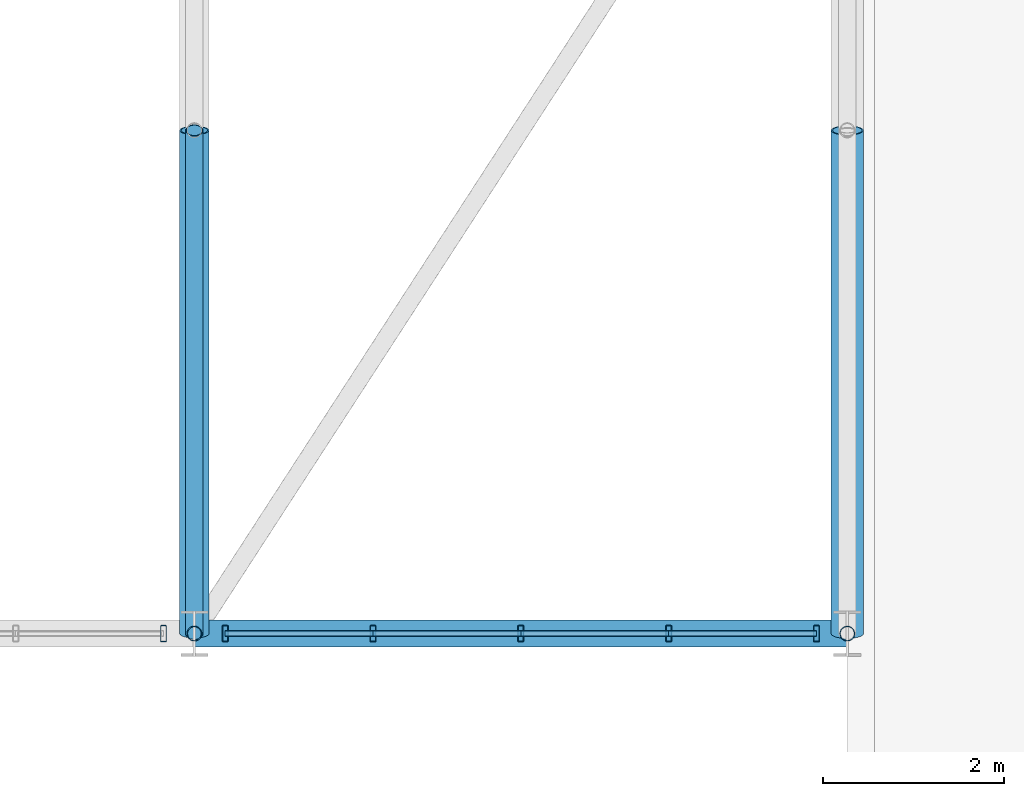
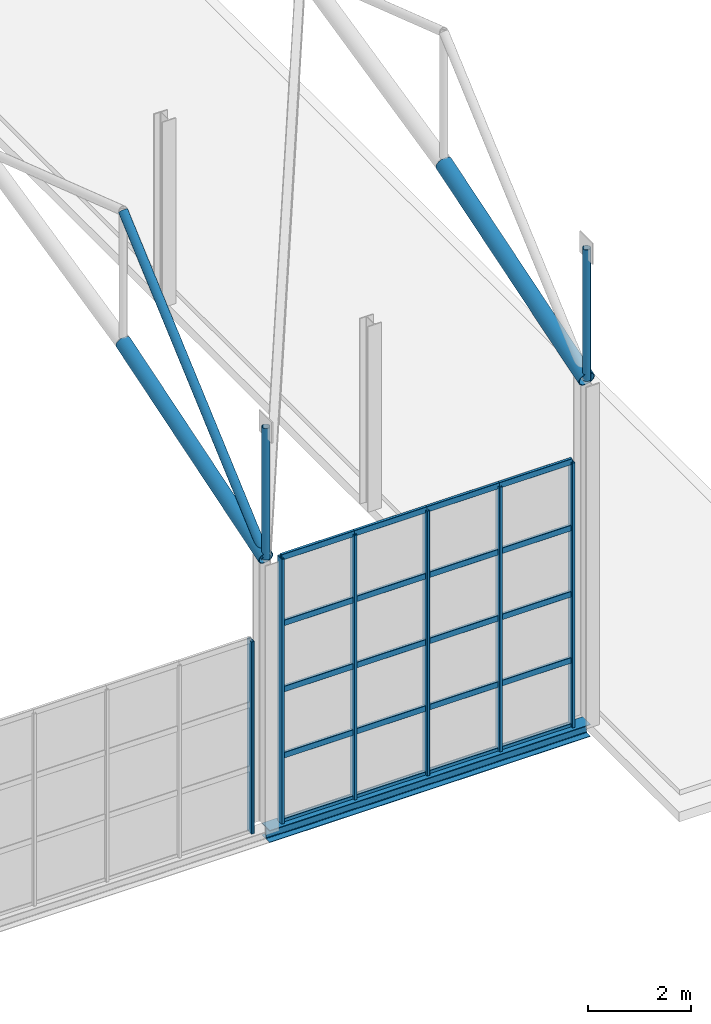
# One storey, part 60 of 153: 31 members, 1 beam, 2 elements without a shape of their own.
"""IFC4 building model written with IfcOpenShell, lengths in metres."""

from ifc_helpers import new_model, si_unit, derived_unit, direction, frame, origin, origin_2d, place, context, subcontext, project, spatial, hollow_rectangle, hollow_circle, i_section, extrude, material, material_profile, profile_set, type_object, element, aggregate, save


model = new_model("IFC4")

# Units and contexts
model_context = context("Model", 3, precision=1e-05, world=origin(), true_north=direction((0.0, 1.0)))
body_context = subcontext(model_context, "Body", "Model", "MODEL_VIEW")
ifc_project = project(units=[si_unit("LENGTHUNIT", "METRE"), si_unit("AREAUNIT", "SQUARE_METRE"), si_unit("VOLUMEUNIT", "CUBIC_METRE"), si_unit("PLANEANGLEUNIT", "RADIAN"), si_unit("MASSUNIT", "GRAM", prefix="KILO"), derived_unit("THERMALTRANSMITTANCEUNIT", [(si_unit("POWERUNIT", "WATT"), 1), (si_unit("LENGTHUNIT", "METRE"), -2), (si_unit("THERMODYNAMICTEMPERATUREUNIT", "KELVIN"), -1)])], contexts=[model_context])

# Site, building, storey
site_placement = place(None, origin())
site = spatial("IfcSite", under=ifc_project, at=site_placement, CompositionType="ELEMENT")
building_placement = place(site_placement, origin())
building = spatial("IfcBuilding", under=site, at=building_placement, Name="Keldorne Ridge Multi-Sports Centre", CompositionType="ELEMENT")
storey_placement = place(building_placement, frame((0.0, 0.0, 9.60009765625)))
storey = spatial("IfcBuildingStorey", under=building, at=storey_placement, Name="L02", CompositionType="ELEMENT", Elevation=9.60009765625)

# Beam
ifc_material_1 = material(Name="Steel S355", Category="steel")
ifc_material_profile_1 = material_profile(ifc_material_1, i_section(OverallWidth=0.300048828125, OverallDepth=0.2900390625, WebThickness=0.008544921875, FlangeThickness=0.013916015625, FilletRadius=0.027099609375, at=origin_2d()), Name="HEA 300")
ifc_profile_set_1 = profile_set([ifc_material_profile_1], Name="Steel S355")
beam_type = type_object("IfcBeamType", Name="BM-SP-04", PredefinedType="SPANDREL", material=ifc_profile_set_1)
beam_placement = place(storey_placement, frame((70.800048828125, 9.60009765625, -0.150146484375), z_axis=(1.0, 0.0, 0.0), x_axis=(0.0, 1.0, 0.0)))
element("IfcBeam", 1, at=beam_placement, inside=storey, type_object=beam_type, Name="Main Hall south spandrel L02.10", PredefinedType="SPANDREL", context=body_context, shape_type="SweptSolid", body=[
    extrude(i_section(OverallWidth=0.300048828125, OverallDepth=0.2900390625, WebThickness=0.008544921875, FlangeThickness=0.013916015625, FilletRadius=0.027099609375, at=origin_2d()), origin(), (0.0, 0.0, 1.0), 7.199951171875),
])

# Curtain wall, member
ifc_material_2 = material(Name="Anodized aluminium", Category="aluminium")
curtain_wall_type_1 = type_object("IfcCurtainWallType", Name="CW-CW-08", PredefinedType="NOTDEFINED", material=ifc_material_2)
curtain_wall_1_placement = place(storey_placement, origin())
curtain_wall_1 = element("IfcCurtainWall", 2, at=curtain_wall_1_placement, inside=storey, type_object=curtain_wall_type_1, Name="Main Hall south high clerestory 024", PredefinedType="NOTDEFINED")
ifc_material_profile_2 = material_profile(ifc_material_2, hollow_rectangle(XDim=0.06494140625, YDim=0.179931640625, WallThickness=0.00439453125, InnerFilletRadius=0.00439453125, OuterFilletRadius=0.009033203125, at=origin_2d()), Name="ALU MULLION 180x65x4.5")
ifc_profile_set_2 = profile_set([ifc_material_profile_2], Name="Anodized aluminium")
member_type_1 = type_object("IfcMemberType", Name="MEM-ML-01", PredefinedType="MULLION", material=ifc_profile_set_2)
member_1_placement = place(storey_placement, frame((70.4599609375, 9.60009765625, 0.0), z_axis=(0.0, 0.0, 1.0), x_axis=(1.0, 0.0, 0.0)))
member_1 = element("IfcMember", 3, at=member_1_placement, type_object=member_type_1, Name="CW-024 vertical mullion 5", PredefinedType="MULLION", context=body_context, shape_type="SweptSolid", body=[
    extrude(hollow_rectangle(XDim=0.06494140625, YDim=0.179931640625, WallThickness=0.00439453125, InnerFilletRadius=0.00439453125, OuterFilletRadius=0.009033203125, at=origin_2d()), origin(), (0.0, 0.0, 1.0), 4.559814453125),
])
aggregate(curtain_wall_1, [member_1])

# Curtain wall, members
curtain_wall_type_2 = type_object("IfcCurtainWallType", Name="CW-CW-03", PredefinedType="NOTDEFINED", material=ifc_material_2)
curtain_wall_2_placement = place(storey_placement, origin())
curtain_wall_2 = element("IfcCurtainWall", 4, at=curtain_wall_2_placement, inside=storey, type_object=curtain_wall_type_2, Name="Main Hall south high clerestory 027", PredefinedType="NOTDEFINED")
member_2_placement = place(storey_placement, frame((71.139892578125, 9.60009765625, 0.0), z_axis=(0.0, 0.0, 1.0), x_axis=(1.0, 0.0, 0.0)))
member_2 = element("IfcMember", 5, at=member_2_placement, type_object=member_type_1, Name="CW-027 vertical mullion 1", PredefinedType="MULLION", context=body_context, shape_type="SweptSolid", body=[
    extrude(hollow_rectangle(XDim=0.06494140625, YDim=0.179931640625, WallThickness=0.00439453125, InnerFilletRadius=0.00439453125, OuterFilletRadius=0.009033203125, at=origin_2d()), origin(), (0.0, 0.0, 1.0), 6.27978515625),
])
member_3_placement = place(storey_placement, frame((72.77001953125, 9.60009765625, 0.0), z_axis=(0.0, 0.0, 1.0), x_axis=(1.0, 0.0, 0.0)))
member_3 = element("IfcMember", 6, at=member_3_placement, type_object=member_type_1, Name="CW-027 vertical mullion 2", PredefinedType="MULLION", context=body_context, shape_type="SweptSolid", body=[
    extrude(hollow_rectangle(XDim=0.06494140625, YDim=0.179931640625, WallThickness=0.00439453125, InnerFilletRadius=0.00439453125, OuterFilletRadius=0.009033203125, at=origin_2d()), origin(), (0.0, 0.0, 1.0), 6.27978515625),
])
member_4_placement = place(storey_placement, frame((74.39990234375, 9.60009765625, 0.0), z_axis=(0.0, 0.0, 1.0), x_axis=(1.0, 0.0, 0.0)))
member_4 = element("IfcMember", 7, at=member_4_placement, type_object=member_type_1, Name="CW-027 vertical mullion 3", PredefinedType="MULLION", context=body_context, shape_type="SweptSolid", body=[
    extrude(hollow_rectangle(XDim=0.06494140625, YDim=0.179931640625, WallThickness=0.00439453125, InnerFilletRadius=0.00439453125, OuterFilletRadius=0.009033203125, at=origin_2d()), origin(), (0.0, 0.0, 1.0), 6.27978515625),
])
member_5_placement = place(storey_placement, frame((76.030029296875, 9.60009765625, 0.0), z_axis=(0.0, 0.0, 1.0), x_axis=(1.0, 0.0, 0.0)))
member_5 = element("IfcMember", 8, at=member_5_placement, type_object=member_type_1, Name="CW-027 vertical mullion 4", PredefinedType="MULLION", context=body_context, shape_type="SweptSolid", body=[
    extrude(hollow_rectangle(XDim=0.06494140625, YDim=0.179931640625, WallThickness=0.00439453125, InnerFilletRadius=0.00439453125, OuterFilletRadius=0.009033203125, at=origin_2d()), origin(), (0.0, 0.0, 1.0), 6.27978515625),
])
member_6_placement = place(storey_placement, frame((77.659912109375, 9.60009765625, 0.0), z_axis=(0.0, 0.0, 1.0), x_axis=(1.0, 0.0, 0.0)))
member_6 = element("IfcMember", 9, at=member_6_placement, type_object=member_type_1, Name="CW-027 vertical mullion 5", PredefinedType="MULLION", context=body_context, shape_type="SweptSolid", body=[
    extrude(hollow_rectangle(XDim=0.06494140625, YDim=0.179931640625, WallThickness=0.00439453125, InnerFilletRadius=0.00439453125, OuterFilletRadius=0.009033203125, at=origin_2d()), origin(), (0.0, 0.0, 1.0), 6.27978515625),
])

# Members
ifc_material_profile_3 = material_profile(ifc_material_1, hollow_circle(Radius=0.177734375, WallThickness=0.01611328125, at=origin_2d()), Name="CHS 355.6x16")
ifc_profile_set_3 = profile_set([ifc_material_profile_3], Name="Steel S355")
member_type_2 = type_object("IfcMemberType", Name="MEM-TC-01", PredefinedType="CHORD", material=ifc_profile_set_3)
member_7_placement = place(storey_placement, frame((78.0, 9.60009765625, 8.099853515625), z_axis=(0.0, 0.953709395146, 0.300729761763), x_axis=(-1.0, 0.0, 0.0)))
element("IfcMember", 10, at=member_7_placement, inside=storey, type_object=member_type_2, Name="Main Hall ROOF TRUSS AT-11 bottom chord 1", PredefinedType="CHORD", context=body_context, shape_type="SweptSolid", body=[
    extrude(hollow_circle(Radius=0.177734375, WallThickness=0.01611328125, at=origin_2d()), origin(), (0.0, 0.0, 1.0), 5.819091796875),
])
ifc_material_profile_4 = material_profile(ifc_material_1, hollow_circle(Radius=0.161865234375, WallThickness=0.01611328125, at=origin_2d()), Name="CHS 323.9x16")
ifc_profile_set_4 = profile_set([ifc_material_profile_4], Name="Steel S355")
member_type_3 = type_object("IfcMemberType", Name="MEM-TC-02", PredefinedType="CHORD", material=ifc_profile_set_4)
member_8_placement = place(storey_placement, frame((70.800048828125, 9.60009765625, 6.3798828125), z_axis=(0.0, 0.953709395146, 0.300729761763), x_axis=(-1.0, 0.0, 0.0)))
element("IfcMember", 11, at=member_8_placement, inside=storey, type_object=member_type_3, Name="Main Hall ROOF TRUSS AT-10 bottom chord 1", PredefinedType="CHORD", context=body_context, shape_type="SweptSolid", body=[
    extrude(hollow_circle(Radius=0.161865234375, WallThickness=0.01611328125, at=origin_2d()), origin(), (0.0, 0.0, 1.0), 5.819091796875),
])
ifc_material_profile_5 = material_profile(ifc_material_1, hollow_circle(Radius=0.096923828125, WallThickness=0.010009765625, at=origin_2d()), Name="CHS 193.7x10")
ifc_profile_set_5 = profile_set([ifc_material_profile_5], Name="Steel S355")
member_type_4 = type_object("IfcMemberType", Name="MEM-TD-01", PredefinedType="BRACE", material=ifc_profile_set_5)
member_9_placement = place(storey_placement, frame((70.800048828125, 9.60009765625, 6.3798828125), z_axis=(0.0, 0.751633717976, 0.659580741078), x_axis=(-1.0, 0.0, 0.0)))
element("IfcMember", 12, at=member_9_placement, inside=storey, type_object=member_type_4, Name="Main Hall ROOF TRUSS AT-10 diagonal 1", PredefinedType="BRACE", context=body_context, shape_type="SweptSolid", body=[
    extrude(hollow_circle(Radius=0.096923828125, WallThickness=0.010009765625, at=origin_2d()), origin(), (0.0, 0.0, 1.0), 7.383544921875),
])

# Member
ifc_material_profile_6 = material_profile(ifc_material_2, hollow_rectangle(XDim=0.06494140625, YDim=0.139892578125, WallThickness=0.00439453125, InnerFilletRadius=0.00439453125, OuterFilletRadius=0.009033203125, at=origin_2d()), Name="ALU TRANSOM 140x65x4.5")
ifc_profile_set_6 = profile_set([ifc_material_profile_6], Name="Anodized aluminium")
member_type_5 = type_object("IfcMemberType", Name="MEM-TR-01", PredefinedType="USERDEFINED", material=ifc_profile_set_6)
member_10_placement = place(storey_placement, frame((71.139892578125, 9.60009765625, 0.0), z_axis=(1.0, 0.0, 0.0), x_axis=(0.0, 1.0, 0.0)))
member_10 = element("IfcMember", 13, at=member_10_placement, type_object=member_type_5, Name="CW-027 transom 1.1", ObjectType="TRANSOM", PredefinedType="USERDEFINED", context=body_context, shape_type="SweptSolid", body=[
    extrude(hollow_rectangle(XDim=0.06494140625, YDim=0.139892578125, WallThickness=0.00439453125, InnerFilletRadius=0.00439453125, OuterFilletRadius=0.009033203125, at=origin_2d()), origin(), (0.0, 0.0, 1.0), 1.630126953125),
])

member_11_placement = place(storey_placement, frame((71.139892578125, 9.60009765625, 1.56982421875), z_axis=(1.0, 0.0, 0.0), x_axis=(0.0, 1.0, 0.0)))
member_11 = element("IfcMember", 14, at=member_11_placement, type_object=member_type_5, Name="CW-027 transom 1.2", ObjectType="TRANSOM", PredefinedType="USERDEFINED", context=body_context, shape_type="SweptSolid", body=[
    extrude(hollow_rectangle(XDim=0.06494140625, YDim=0.139892578125, WallThickness=0.00439453125, InnerFilletRadius=0.00439453125, OuterFilletRadius=0.009033203125, at=origin_2d()), origin(), (0.0, 0.0, 1.0), 1.630126953125),
])

member_12_placement = place(storey_placement, frame((71.139892578125, 9.60009765625, 3.139892578125), z_axis=(1.0, 0.0, 0.0), x_axis=(0.0, 1.0, 0.0)))
member_12 = element("IfcMember", 15, at=member_12_placement, type_object=member_type_5, Name="CW-027 transom 1.3", ObjectType="TRANSOM", PredefinedType="USERDEFINED", context=body_context, shape_type="SweptSolid", body=[
    extrude(hollow_rectangle(XDim=0.06494140625, YDim=0.139892578125, WallThickness=0.00439453125, InnerFilletRadius=0.00439453125, OuterFilletRadius=0.009033203125, at=origin_2d()), origin(), (0.0, 0.0, 1.0), 1.630126953125),
])

member_13_placement = place(storey_placement, frame((71.139892578125, 9.60009765625, 4.7099609375), z_axis=(1.0, 0.0, 0.0), x_axis=(0.0, 1.0, 0.0)))
member_13 = element("IfcMember", 16, at=member_13_placement, type_object=member_type_5, Name="CW-027 transom 1.4", ObjectType="TRANSOM", PredefinedType="USERDEFINED", context=body_context, shape_type="SweptSolid", body=[
    extrude(hollow_rectangle(XDim=0.06494140625, YDim=0.139892578125, WallThickness=0.00439453125, InnerFilletRadius=0.00439453125, OuterFilletRadius=0.009033203125, at=origin_2d()), origin(), (0.0, 0.0, 1.0), 1.630126953125),
])

member_14_placement = place(storey_placement, frame((71.139892578125, 9.60009765625, 6.27978515625), z_axis=(1.0, 0.0, 0.0), x_axis=(0.0, 1.0, 0.0)))
member_14 = element("IfcMember", 17, at=member_14_placement, type_object=member_type_5, Name="CW-027 transom 1.5", ObjectType="TRANSOM", PredefinedType="USERDEFINED", context=body_context, shape_type="SweptSolid", body=[
    extrude(hollow_rectangle(XDim=0.06494140625, YDim=0.139892578125, WallThickness=0.00439453125, InnerFilletRadius=0.00439453125, OuterFilletRadius=0.009033203125, at=origin_2d()), origin(), (0.0, 0.0, 1.0), 1.630126953125),
])

member_15_placement = place(storey_placement, frame((72.77001953125, 9.60009765625, 0.0), z_axis=(1.0, 0.0, 0.0), x_axis=(0.0, 1.0, 0.0)))
member_15 = element("IfcMember", 18, at=member_15_placement, type_object=member_type_5, Name="CW-027 transom 2.1", ObjectType="TRANSOM", PredefinedType="USERDEFINED", context=body_context, shape_type="SweptSolid", body=[
    extrude(hollow_rectangle(XDim=0.06494140625, YDim=0.139892578125, WallThickness=0.00439453125, InnerFilletRadius=0.00439453125, OuterFilletRadius=0.009033203125, at=origin_2d()), origin(), (0.0, 0.0, 1.0), 1.6298828125),
])

member_16_placement = place(storey_placement, frame((72.77001953125, 9.60009765625, 1.56982421875), z_axis=(1.0, 0.0, 0.0), x_axis=(0.0, 1.0, 0.0)))
member_16 = element("IfcMember", 19, at=member_16_placement, type_object=member_type_5, Name="CW-027 transom 2.2", ObjectType="TRANSOM", PredefinedType="USERDEFINED", context=body_context, shape_type="SweptSolid", body=[
    extrude(hollow_rectangle(XDim=0.06494140625, YDim=0.139892578125, WallThickness=0.00439453125, InnerFilletRadius=0.00439453125, OuterFilletRadius=0.009033203125, at=origin_2d()), origin(), (0.0, 0.0, 1.0), 1.6298828125),
])

member_17_placement = place(storey_placement, frame((72.77001953125, 9.60009765625, 3.139892578125), z_axis=(1.0, 0.0, 0.0), x_axis=(0.0, 1.0, 0.0)))
member_17 = element("IfcMember", 20, at=member_17_placement, type_object=member_type_5, Name="CW-027 transom 2.3", ObjectType="TRANSOM", PredefinedType="USERDEFINED", context=body_context, shape_type="SweptSolid", body=[
    extrude(hollow_rectangle(XDim=0.06494140625, YDim=0.139892578125, WallThickness=0.00439453125, InnerFilletRadius=0.00439453125, OuterFilletRadius=0.009033203125, at=origin_2d()), origin(), (0.0, 0.0, 1.0), 1.6298828125),
])

member_18_placement = place(storey_placement, frame((72.77001953125, 9.60009765625, 4.7099609375), z_axis=(1.0, 0.0, 0.0), x_axis=(0.0, 1.0, 0.0)))
member_18 = element("IfcMember", 21, at=member_18_placement, type_object=member_type_5, Name="CW-027 transom 2.4", ObjectType="TRANSOM", PredefinedType="USERDEFINED", context=body_context, shape_type="SweptSolid", body=[
    extrude(hollow_rectangle(XDim=0.06494140625, YDim=0.139892578125, WallThickness=0.00439453125, InnerFilletRadius=0.00439453125, OuterFilletRadius=0.009033203125, at=origin_2d()), origin(), (0.0, 0.0, 1.0), 1.6298828125),
])

member_19_placement = place(storey_placement, frame((72.77001953125, 9.60009765625, 6.27978515625), z_axis=(1.0, 0.0, 0.0), x_axis=(0.0, 1.0, 0.0)))
member_19 = element("IfcMember", 22, at=member_19_placement, type_object=member_type_5, Name="CW-027 transom 2.5", ObjectType="TRANSOM", PredefinedType="USERDEFINED", context=body_context, shape_type="SweptSolid", body=[
    extrude(hollow_rectangle(XDim=0.06494140625, YDim=0.139892578125, WallThickness=0.00439453125, InnerFilletRadius=0.00439453125, OuterFilletRadius=0.009033203125, at=origin_2d()), origin(), (0.0, 0.0, 1.0), 1.6298828125),
])

member_20_placement = place(storey_placement, frame((74.39990234375, 9.60009765625, 0.0), z_axis=(1.0, 0.0, 0.0), x_axis=(0.0, 1.0, 0.0)))
member_20 = element("IfcMember", 23, at=member_20_placement, type_object=member_type_5, Name="CW-027 transom 3.1", ObjectType="TRANSOM", PredefinedType="USERDEFINED", context=body_context, shape_type="SweptSolid", body=[
    extrude(hollow_rectangle(XDim=0.06494140625, YDim=0.139892578125, WallThickness=0.00439453125, InnerFilletRadius=0.00439453125, OuterFilletRadius=0.009033203125, at=origin_2d()), origin(), (0.0, 0.0, 1.0), 1.630126953125),
])

member_21_placement = place(storey_placement, frame((74.39990234375, 9.60009765625, 1.56982421875), z_axis=(1.0, 0.0, 0.0), x_axis=(0.0, 1.0, 0.0)))
member_21 = element("IfcMember", 24, at=member_21_placement, type_object=member_type_5, Name="CW-027 transom 3.2", ObjectType="TRANSOM", PredefinedType="USERDEFINED", context=body_context, shape_type="SweptSolid", body=[
    extrude(hollow_rectangle(XDim=0.06494140625, YDim=0.139892578125, WallThickness=0.00439453125, InnerFilletRadius=0.00439453125, OuterFilletRadius=0.009033203125, at=origin_2d()), origin(), (0.0, 0.0, 1.0), 1.630126953125),
])

member_22_placement = place(storey_placement, frame((74.39990234375, 9.60009765625, 3.139892578125), z_axis=(1.0, 0.0, 0.0), x_axis=(0.0, 1.0, 0.0)))
member_22 = element("IfcMember", 25, at=member_22_placement, type_object=member_type_5, Name="CW-027 transom 3.3", ObjectType="TRANSOM", PredefinedType="USERDEFINED", context=body_context, shape_type="SweptSolid", body=[
    extrude(hollow_rectangle(XDim=0.06494140625, YDim=0.139892578125, WallThickness=0.00439453125, InnerFilletRadius=0.00439453125, OuterFilletRadius=0.009033203125, at=origin_2d()), origin(), (0.0, 0.0, 1.0), 1.630126953125),
])

member_23_placement = place(storey_placement, frame((74.39990234375, 9.60009765625, 4.7099609375), z_axis=(1.0, 0.0, 0.0), x_axis=(0.0, 1.0, 0.0)))
member_23 = element("IfcMember", 26, at=member_23_placement, type_object=member_type_5, Name="CW-027 transom 3.4", ObjectType="TRANSOM", PredefinedType="USERDEFINED", context=body_context, shape_type="SweptSolid", body=[
    extrude(hollow_rectangle(XDim=0.06494140625, YDim=0.139892578125, WallThickness=0.00439453125, InnerFilletRadius=0.00439453125, OuterFilletRadius=0.009033203125, at=origin_2d()), origin(), (0.0, 0.0, 1.0), 1.630126953125),
])

member_24_placement = place(storey_placement, frame((74.39990234375, 9.60009765625, 6.27978515625), z_axis=(1.0, 0.0, 0.0), x_axis=(0.0, 1.0, 0.0)))
member_24 = element("IfcMember", 27, at=member_24_placement, type_object=member_type_5, Name="CW-027 transom 3.5", ObjectType="TRANSOM", PredefinedType="USERDEFINED", context=body_context, shape_type="SweptSolid", body=[
    extrude(hollow_rectangle(XDim=0.06494140625, YDim=0.139892578125, WallThickness=0.00439453125, InnerFilletRadius=0.00439453125, OuterFilletRadius=0.009033203125, at=origin_2d()), origin(), (0.0, 0.0, 1.0), 1.630126953125),
])

member_25_placement = place(storey_placement, frame((76.030029296875, 9.60009765625, 0.0), z_axis=(1.0, 0.0, 0.0), x_axis=(0.0, 1.0, 0.0)))
member_25 = element("IfcMember", 28, at=member_25_placement, type_object=member_type_5, Name="CW-027 transom 4.1", ObjectType="TRANSOM", PredefinedType="USERDEFINED", context=body_context, shape_type="SweptSolid", body=[
    extrude(hollow_rectangle(XDim=0.06494140625, YDim=0.139892578125, WallThickness=0.00439453125, InnerFilletRadius=0.00439453125, OuterFilletRadius=0.009033203125, at=origin_2d()), origin(), (0.0, 0.0, 1.0), 1.6298828125),
])

member_26_placement = place(storey_placement, frame((76.030029296875, 9.60009765625, 1.56982421875), z_axis=(1.0, 0.0, 0.0), x_axis=(0.0, 1.0, 0.0)))
member_26 = element("IfcMember", 29, at=member_26_placement, type_object=member_type_5, Name="CW-027 transom 4.2", ObjectType="TRANSOM", PredefinedType="USERDEFINED", context=body_context, shape_type="SweptSolid", body=[
    extrude(hollow_rectangle(XDim=0.06494140625, YDim=0.139892578125, WallThickness=0.00439453125, InnerFilletRadius=0.00439453125, OuterFilletRadius=0.009033203125, at=origin_2d()), origin(), (0.0, 0.0, 1.0), 1.6298828125),
])

member_27_placement = place(storey_placement, frame((76.030029296875, 9.60009765625, 3.139892578125), z_axis=(1.0, 0.0, 0.0), x_axis=(0.0, 1.0, 0.0)))
member_27 = element("IfcMember", 30, at=member_27_placement, type_object=member_type_5, Name="CW-027 transom 4.3", ObjectType="TRANSOM", PredefinedType="USERDEFINED", context=body_context, shape_type="SweptSolid", body=[
    extrude(hollow_rectangle(XDim=0.06494140625, YDim=0.139892578125, WallThickness=0.00439453125, InnerFilletRadius=0.00439453125, OuterFilletRadius=0.009033203125, at=origin_2d()), origin(), (0.0, 0.0, 1.0), 1.6298828125),
])

member_28_placement = place(storey_placement, frame((76.030029296875, 9.60009765625, 4.7099609375), z_axis=(1.0, 0.0, 0.0), x_axis=(0.0, 1.0, 0.0)))
member_28 = element("IfcMember", 31, at=member_28_placement, type_object=member_type_5, Name="CW-027 transom 4.4", ObjectType="TRANSOM", PredefinedType="USERDEFINED", context=body_context, shape_type="SweptSolid", body=[
    extrude(hollow_rectangle(XDim=0.06494140625, YDim=0.139892578125, WallThickness=0.00439453125, InnerFilletRadius=0.00439453125, OuterFilletRadius=0.009033203125, at=origin_2d()), origin(), (0.0, 0.0, 1.0), 1.6298828125),
])

member_29_placement = place(storey_placement, frame((76.030029296875, 9.60009765625, 6.27978515625), z_axis=(1.0, 0.0, 0.0), x_axis=(0.0, 1.0, 0.0)))
member_29 = element("IfcMember", 32, at=member_29_placement, type_object=member_type_5, Name="CW-027 transom 4.5", ObjectType="TRANSOM", PredefinedType="USERDEFINED", context=body_context, shape_type="SweptSolid", body=[
    extrude(hollow_rectangle(XDim=0.06494140625, YDim=0.139892578125, WallThickness=0.00439453125, InnerFilletRadius=0.00439453125, OuterFilletRadius=0.009033203125, at=origin_2d()), origin(), (0.0, 0.0, 1.0), 1.6298828125),
])

aggregate(curtain_wall_2, [member_2, member_3, member_4, member_5, member_6, member_10, member_11, member_12, member_13, member_14, member_15, member_16, member_17, member_18, member_19, member_20, member_21, member_22, member_23, member_24, member_25, member_26, member_27, member_28, member_29])

# Members
ifc_material_profile_7 = material_profile(ifc_material_1, hollow_circle(Radius=0.084228515625, WallThickness=0.010009765625, at=origin_2d()), Name="CHS 168.3x10")
ifc_profile_set_7 = profile_set([ifc_material_profile_7], Name="Steel S355")
member_type_6 = type_object("IfcMemberType", Name="MEM-TV-01", PredefinedType="STRUT", material=ifc_profile_set_7)
for number, where, z_axis, x_axis, name in (
    (33, (70.800048828125, 9.60009765625, 6.3798828125), (0.0, 0.0, 1.0), (1.0, 0.0, 0.0), "Main Hall ROOF TRUSS AT-10 vertical 1"),
    (34, (78.0, 9.60009765625, 8.099853515625), (0.0, 0.0, 1.0), (1.0, 0.0, 0.0), "Main Hall ROOF TRUSS AT-11 vertical 1"),
):
    element("IfcMember", number, at=place(storey_placement, frame(where, z_axis=z_axis, x_axis=x_axis)), inside=storey, type_object=member_type_6, Name=name, PredefinedType="STRUT", context=body_context, shape_type="SweptSolid", body=[
        extrude(hollow_circle(Radius=0.084228515625, WallThickness=0.010009765625, at=origin_2d()), origin(), (0.0, 0.0, 1.0), 3.1201171875),
    ])

save(model, "model.ifc")
